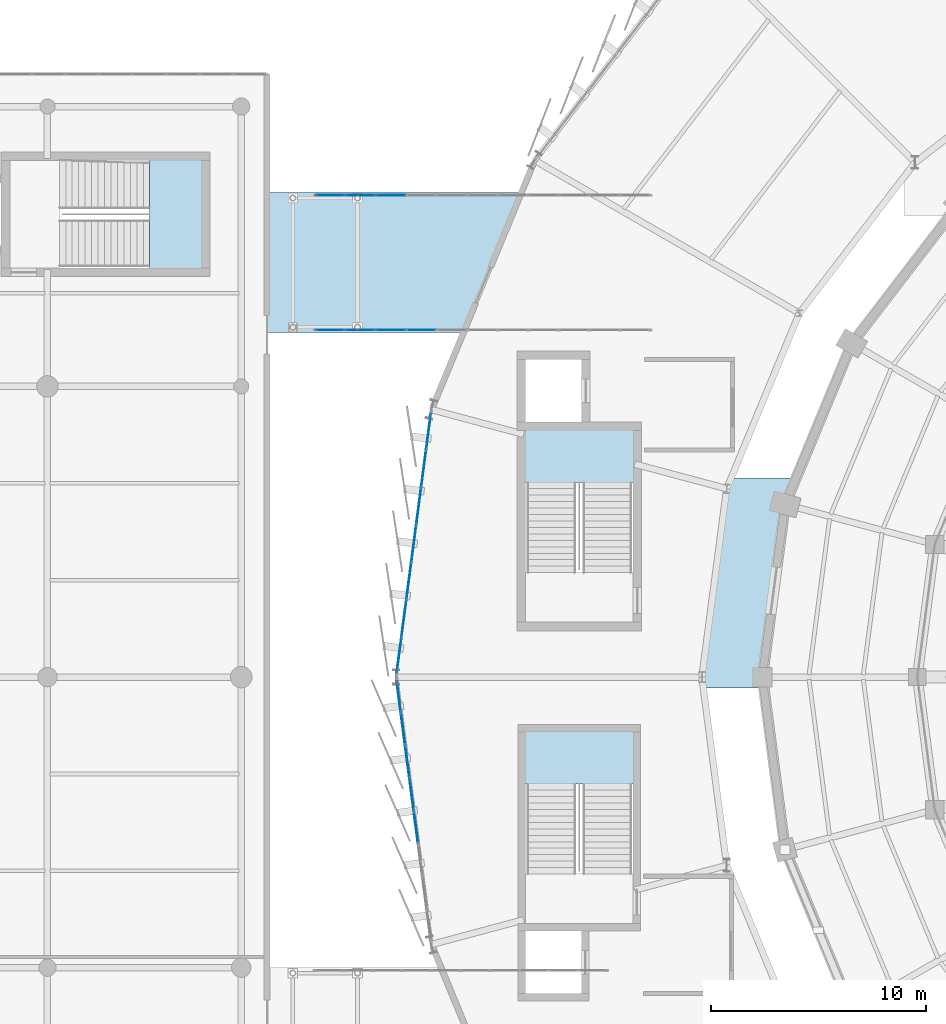
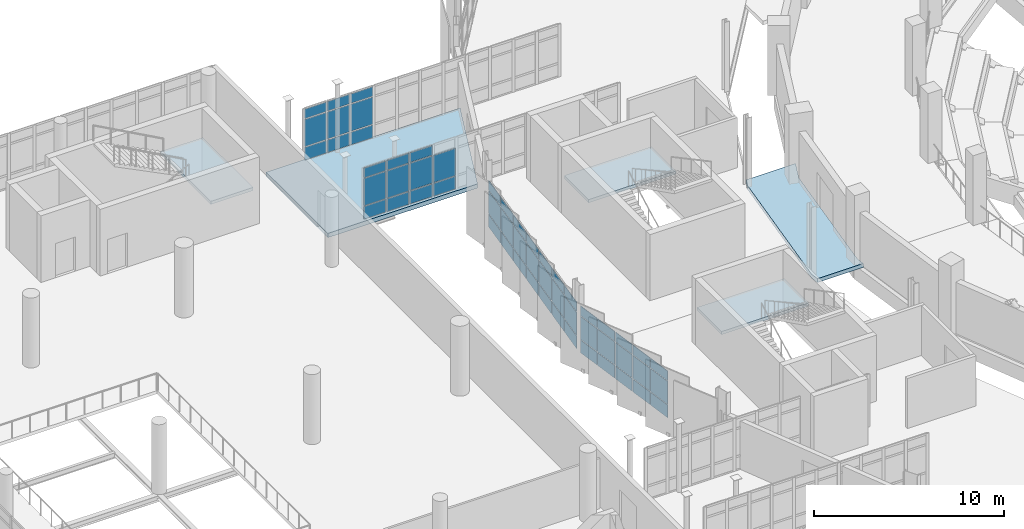
# One storey, part 90 of 134: 56 plates, 5 slabs, 7 elements without a shape of their own.
"""IFC4 building model written with IfcOpenShell, lengths in metres."""

from ifc_helpers import new_model, si_unit, direction, frame, origin, origin_2d, place, context, subcontext, project, spatial, polyline, rectangle, outline, extrude, material, layer, layer_set, type_object, element, aggregate, save


model = new_model("IFC4")

# Units and contexts
model_context = context("Model", 3, precision=1e-05, world=origin(), true_north=direction((0.0, 1.0)))
body_context = subcontext(model_context, "Body", "Model", "MODEL_VIEW")
ifc_project = project(units=[si_unit("LENGTHUNIT", "METRE"), si_unit("AREAUNIT", "SQUARE_METRE"), si_unit("VOLUMEUNIT", "CUBIC_METRE"), si_unit("PLANEANGLEUNIT", "RADIAN"), si_unit("MASSUNIT", "GRAM", prefix="KILO")], contexts=[model_context])

# Site, building, storey
site_placement = place(None, origin())
site = spatial("IfcSite", under=ifc_project, at=site_placement, CompositionType="ELEMENT")
building_placement = place(site_placement, origin())
building = spatial("IfcBuilding", under=site, at=building_placement, Name="Sohan Crest Arena", CompositionType="ELEMENT")
storey_placement = place(building_placement, frame((0.0, 0.0, 4.5)))
storey = spatial("IfcBuildingStorey", under=building, at=storey_placement, Name="L01", CompositionType="ELEMENT", Elevation=4.5)

# Curtain wall, plates
ifc_material_1 = material(Name="Thermally broken anodised aluminium", Category="aluminium")
ifc_layer_1 = layer(ifc_material_1, 0.18994140625, Name="Thermally broken anodised aluminium")
ifc_layer_set_1 = layer_set([ifc_layer_1], Name="Thermally broken anodised aluminium")
curtain_wall_type_1 = type_object("IfcCurtainWallType", Name="ARC-CW05", PredefinedType="NOTDEFINED", material=ifc_layer_set_1)
curtain_wall_1_placement = place(storey_placement, origin())
curtain_wall_1 = element("IfcCurtainWall", 1, at=curtain_wall_1_placement, inside=storey, type_object=curtain_wall_type_1, Name="Unitised curtain wall CW-233", PredefinedType="NOTDEFINED")
ifc_material_2 = material(Name="Low-E double-glazed insulated glass", Category="glass")
ifc_layer_2 = layer(ifc_material_2, 0.028076171875, Name="Low-E double-glazed insulated glass")
ifc_layer_set_2 = layer_set([ifc_layer_2], Name="Low-E double-glazed insulated glass")
plate_type_1 = type_object("IfcPlateType", Name="ARC-CNP01", PredefinedType="CURTAIN_PANEL", material=ifc_layer_set_2)
plate_1_placement = place(storey_placement, frame((46.92529296875, 94.1201171875, 0.06005859375), z_axis=(0.0, 0.0, 1.0), x_axis=(1.0, 0.0, 0.0)))
plate_1 = element("IfcPlate", 2, at=plate_1_placement, type_object=plate_type_1, Name="CW-233 panel 1.1", PredefinedType="CURTAIN_PANEL", context=body_context, shape_type="SweptSolid", body=[
    extrude(rectangle(XDim=1.32080078125, YDim=0.028076171875, at=origin_2d()), origin(), (0.0, 0.0, 1.0), 0.81005859375),
])
plate_2_placement = place(storey_placement, frame((46.92529296875, 94.1201171875, 0.93017578125), z_axis=(0.0, 0.0, 1.0), x_axis=(1.0, 0.0, 0.0)))
plate_2 = element("IfcPlate", 3, at=plate_2_placement, type_object=plate_type_1, Name="CW-233 panel 1.2", PredefinedType="CURTAIN_PANEL", context=body_context, shape_type="SweptSolid", body=[
    extrude(rectangle(XDim=1.32080078125, YDim=0.028076171875, at=origin_2d()), origin(), (0.0, 0.0, 1.0), 1.739990234375),
])
plate_3_placement = place(storey_placement, frame((46.92529296875, 94.1201171875, 2.72998046875), z_axis=(0.0, 0.0, 1.0), x_axis=(1.0, 0.0, 0.0)))
plate_3 = element("IfcPlate", 4, at=plate_3_placement, type_object=plate_type_1, Name="CW-233 panel 1.3", PredefinedType="CURTAIN_PANEL", context=body_context, shape_type="SweptSolid", body=[
    extrude(rectangle(XDim=1.32080078125, YDim=0.028076171875, at=origin_2d()), origin(), (0.0, 0.0, 1.0), 0.610107421875),
])
plate_4_placement = place(storey_placement, frame((48.327392578125, 94.1201171875, 0.06005859375), z_axis=(0.0, 0.0, 1.0), x_axis=(1.0, 0.0, 0.0)))
plate_4 = element("IfcPlate", 5, at=plate_4_placement, type_object=plate_type_1, Name="CW-233 panel 2.1", PredefinedType="CURTAIN_PANEL", context=body_context, shape_type="SweptSolid", body=[
    extrude(rectangle(XDim=1.353271484375, YDim=0.028076171875, at=origin_2d()), origin(), (0.0, 0.0, 1.0), 0.81005859375),
])
plate_5_placement = place(storey_placement, frame((48.327392578125, 94.1201171875, 0.93017578125), z_axis=(0.0, 0.0, 1.0), x_axis=(1.0, 0.0, 0.0)))
plate_5 = element("IfcPlate", 6, at=plate_5_placement, type_object=plate_type_1, Name="CW-233 panel 2.2", PredefinedType="CURTAIN_PANEL", context=body_context, shape_type="SweptSolid", body=[
    extrude(rectangle(XDim=1.353271484375, YDim=0.028076171875, at=origin_2d()), origin(), (0.0, 0.0, 1.0), 1.739990234375),
])
plate_6_placement = place(storey_placement, frame((48.327392578125, 94.1201171875, 2.72998046875), z_axis=(0.0, 0.0, 1.0), x_axis=(1.0, 0.0, 0.0)))
plate_6 = element("IfcPlate", 7, at=plate_6_placement, type_object=plate_type_1, Name="CW-233 panel 2.3", PredefinedType="CURTAIN_PANEL", context=body_context, shape_type="SweptSolid", body=[
    extrude(rectangle(XDim=1.353271484375, YDim=0.028076171875, at=origin_2d()), origin(), (0.0, 0.0, 1.0), 0.610107421875),
])
plate_7_placement = place(storey_placement, frame((49.745361328125, 94.1201171875, 0.06005859375), z_axis=(0.0, 0.0, 1.0), x_axis=(1.0, 0.0, 0.0)))
plate_7 = element("IfcPlate", 8, at=plate_7_placement, type_object=plate_type_1, Name="CW-233 panel 3.1", PredefinedType="CURTAIN_PANEL", context=body_context, shape_type="SweptSolid", body=[
    extrude(rectangle(XDim=1.353271484375, YDim=0.028076171875, at=origin_2d()), origin(), (0.0, 0.0, 1.0), 0.81005859375),
])
plate_8_placement = place(storey_placement, frame((49.745361328125, 94.1201171875, 0.93017578125), z_axis=(0.0, 0.0, 1.0), x_axis=(1.0, 0.0, 0.0)))
plate_8 = element("IfcPlate", 9, at=plate_8_placement, type_object=plate_type_1, Name="CW-233 panel 3.2", PredefinedType="CURTAIN_PANEL", context=body_context, shape_type="SweptSolid", body=[
    extrude(rectangle(XDim=1.353271484375, YDim=0.028076171875, at=origin_2d()), origin(), (0.0, 0.0, 1.0), 1.739990234375),
])
plate_9_placement = place(storey_placement, frame((49.745361328125, 94.1201171875, 2.72998046875), z_axis=(0.0, 0.0, 1.0), x_axis=(1.0, 0.0, 0.0)))
plate_9 = element("IfcPlate", 10, at=plate_9_placement, type_object=plate_type_1, Name="CW-233 panel 3.3", PredefinedType="CURTAIN_PANEL", context=body_context, shape_type="SweptSolid", body=[
    extrude(rectangle(XDim=1.353271484375, YDim=0.028076171875, at=origin_2d()), origin(), (0.0, 0.0, 1.0), 0.610107421875),
])
plate_10_placement = place(storey_placement, frame((51.16357421875, 94.1201171875, 0.06005859375), z_axis=(0.0, 0.0, 1.0), x_axis=(1.0, 0.0, 0.0)))
plate_10 = element("IfcPlate", 11, at=plate_10_placement, type_object=plate_type_1, Name="CW-233 panel 4.1", PredefinedType="CURTAIN_PANEL", context=body_context, shape_type="SweptSolid", body=[
    extrude(rectangle(XDim=1.353271484375, YDim=0.028076171875, at=origin_2d()), origin(), (0.0, 0.0, 1.0), 0.81005859375),
])
plate_11_placement = place(storey_placement, frame((51.16357421875, 94.1201171875, 0.93017578125), z_axis=(0.0, 0.0, 1.0), x_axis=(1.0, 0.0, 0.0)))
plate_11 = element("IfcPlate", 12, at=plate_11_placement, type_object=plate_type_1, Name="CW-233 panel 4.2", PredefinedType="CURTAIN_PANEL", context=body_context, shape_type="SweptSolid", body=[
    extrude(rectangle(XDim=1.353271484375, YDim=0.028076171875, at=origin_2d()), origin(), (0.0, 0.0, 1.0), 1.739990234375),
])
aggregate(curtain_wall_1, [plate_1, plate_2, plate_3, plate_4, plate_5, plate_6, plate_7, plate_8, plate_9, plate_10, plate_11])

curtain_wall_2_placement = place(storey_placement, origin())
curtain_wall_2 = element("IfcCurtainWall", 13, at=curtain_wall_2_placement, inside=storey, type_object=curtain_wall_type_1, Name="Unitised curtain wall CW-234", PredefinedType="NOTDEFINED")
plate_12_placement = place(storey_placement, frame((46.92529296875, 100.3798828125, 0.06005859375), z_axis=(0.0, 0.0, 1.0), x_axis=(1.0, 0.0, 0.0)))
plate_12 = element("IfcPlate", 14, at=plate_12_placement, type_object=plate_type_1, Name="CW-234 panel 1.1", PredefinedType="CURTAIN_PANEL", context=body_context, shape_type="SweptSolid", body=[
    extrude(rectangle(XDim=1.32080078125, YDim=0.028076171875, at=origin_2d()), origin(), (0.0, 0.0, 1.0), 0.81005859375),
])
plate_13_placement = place(storey_placement, frame((46.92529296875, 100.3798828125, 0.93017578125), z_axis=(0.0, 0.0, 1.0), x_axis=(1.0, 0.0, 0.0)))
plate_13 = element("IfcPlate", 15, at=plate_13_placement, type_object=plate_type_1, Name="CW-234 panel 1.2", PredefinedType="CURTAIN_PANEL", context=body_context, shape_type="SweptSolid", body=[
    extrude(rectangle(XDim=1.32080078125, YDim=0.028076171875, at=origin_2d()), origin(), (0.0, 0.0, 1.0), 1.739990234375),
])
plate_14_placement = place(storey_placement, frame((46.92529296875, 100.3798828125, 2.72998046875), z_axis=(0.0, 0.0, 1.0), x_axis=(1.0, 0.0, 0.0)))
plate_14 = element("IfcPlate", 16, at=plate_14_placement, type_object=plate_type_1, Name="CW-234 panel 1.3", PredefinedType="CURTAIN_PANEL", context=body_context, shape_type="SweptSolid", body=[
    extrude(rectangle(XDim=1.32080078125, YDim=0.028076171875, at=origin_2d()), origin(), (0.0, 0.0, 1.0), 0.610107421875),
])
plate_15_placement = place(storey_placement, frame((48.327392578125, 100.3798828125, 0.06005859375), z_axis=(0.0, 0.0, 1.0), x_axis=(1.0, 0.0, 0.0)))
plate_15 = element("IfcPlate", 17, at=plate_15_placement, type_object=plate_type_1, Name="CW-234 panel 2.1", PredefinedType="CURTAIN_PANEL", context=body_context, shape_type="SweptSolid", body=[
    extrude(rectangle(XDim=1.353271484375, YDim=0.028076171875, at=origin_2d()), origin(), (0.0, 0.0, 1.0), 0.81005859375),
])
plate_16_placement = place(storey_placement, frame((48.327392578125, 100.3798828125, 0.93017578125), z_axis=(0.0, 0.0, 1.0), x_axis=(1.0, 0.0, 0.0)))
plate_16 = element("IfcPlate", 18, at=plate_16_placement, type_object=plate_type_1, Name="CW-234 panel 2.2", PredefinedType="CURTAIN_PANEL", context=body_context, shape_type="SweptSolid", body=[
    extrude(rectangle(XDim=1.353271484375, YDim=0.028076171875, at=origin_2d()), origin(), (0.0, 0.0, 1.0), 1.739990234375),
])
plate_17_placement = place(storey_placement, frame((48.327392578125, 100.3798828125, 2.72998046875), z_axis=(0.0, 0.0, 1.0), x_axis=(1.0, 0.0, 0.0)))
plate_17 = element("IfcPlate", 19, at=plate_17_placement, type_object=plate_type_1, Name="CW-234 panel 2.3", PredefinedType="CURTAIN_PANEL", context=body_context, shape_type="SweptSolid", body=[
    extrude(rectangle(XDim=1.353271484375, YDim=0.028076171875, at=origin_2d()), origin(), (0.0, 0.0, 1.0), 0.610107421875),
])
plate_18_placement = place(storey_placement, frame((49.745361328125, 100.3798828125, 0.06005859375), z_axis=(0.0, 0.0, 1.0), x_axis=(1.0, 0.0, 0.0)))
plate_18 = element("IfcPlate", 20, at=plate_18_placement, type_object=plate_type_1, Name="CW-234 panel 3.1", PredefinedType="CURTAIN_PANEL", context=body_context, shape_type="SweptSolid", body=[
    extrude(rectangle(XDim=1.353271484375, YDim=0.028076171875, at=origin_2d()), origin(), (0.0, 0.0, 1.0), 0.81005859375),
])
plate_19_placement = place(storey_placement, frame((49.745361328125, 100.3798828125, 0.93017578125), z_axis=(0.0, 0.0, 1.0), x_axis=(1.0, 0.0, 0.0)))
plate_19 = element("IfcPlate", 21, at=plate_19_placement, type_object=plate_type_1, Name="CW-234 panel 3.2", PredefinedType="CURTAIN_PANEL", context=body_context, shape_type="SweptSolid", body=[
    extrude(rectangle(XDim=1.353271484375, YDim=0.028076171875, at=origin_2d()), origin(), (0.0, 0.0, 1.0), 1.739990234375),
])
plate_20_placement = place(storey_placement, frame((49.745361328125, 100.3798828125, 2.72998046875), z_axis=(0.0, 0.0, 1.0), x_axis=(1.0, 0.0, 0.0)))
plate_20 = element("IfcPlate", 22, at=plate_20_placement, type_object=plate_type_1, Name="CW-234 panel 3.3", PredefinedType="CURTAIN_PANEL", context=body_context, shape_type="SweptSolid", body=[
    extrude(rectangle(XDim=1.353271484375, YDim=0.028076171875, at=origin_2d()), origin(), (0.0, 0.0, 1.0), 0.610107421875),
])
aggregate(curtain_wall_2, [plate_12, plate_13, plate_14, plate_15, plate_16, plate_17, plate_18, plate_19, plate_20])

ifc_layer_3 = layer(ifc_material_1, 0.2099609375, Name="Thermally broken anodised aluminium")
ifc_layer_set_3 = layer_set([ifc_layer_3], Name="Thermally broken anodised aluminium")
curtain_wall_type_2 = type_object("IfcCurtainWallType", Name="ARC-CW06", PredefinedType="NOTDEFINED", material=ifc_layer_set_3)
curtain_wall_3_placement = place(storey_placement, origin())
curtain_wall_3 = element("IfcCurtainWall", 23, at=curtain_wall_3_placement, inside=storey, type_object=curtain_wall_type_2, Name="Unitised curtain wall CW-024", PredefinedType="NOTDEFINED")
ifc_layer_4 = layer(ifc_material_2, 0.031982421875, Name="Low-E double-glazed insulated glass")
ifc_layer_set_4 = layer_set([ifc_layer_4], Name="Low-E double-glazed insulated glass")
plate_type_2 = type_object("IfcPlateType", Name="ARC-CNP02", PredefinedType="CURTAIN_PANEL", material=ifc_layer_set_4)
plate_21_placement = place(storey_placement, frame((51.50244140625, 89.408935546875, 0.070068359375), z_axis=(0.0, 0.0, 1.0), x_axis=(-0.130562031094, -0.991440142438, 0.0)))
plate_21 = element("IfcPlate", 24, at=plate_21_placement, type_object=plate_type_2, Name="CW-024 panel 1.1", PredefinedType="CURTAIN_PANEL", context=body_context, shape_type="SweptSolid", body=[
    extrude(rectangle(XDim=1.6552734375, YDim=0.031982421875, at=origin_2d()), origin(), (0.0, 0.0, 1.0), 0.794921875),
])
plate_22_placement = place(storey_placement, frame((51.50244140625, 89.408935546875, 0.93505859375), z_axis=(0.0, 0.0, 1.0), x_axis=(-0.130562031094, -0.991440142438, 0.0)))
plate_22 = element("IfcPlate", 25, at=plate_22_placement, type_object=plate_type_2, Name="CW-024 panel 1.2", PredefinedType="CURTAIN_PANEL", context=body_context, shape_type="SweptSolid", body=[
    extrude(rectangle(XDim=1.6552734375, YDim=0.031982421875, at=origin_2d()), origin(), (0.0, 0.0, 1.0), 1.449951171875),
])
plate_23_placement = place(storey_placement, frame((51.50244140625, 89.408935546875, 2.455078125), z_axis=(0.0, 0.0, 1.0), x_axis=(-0.130562031094, -0.991440142438, 0.0)))
plate_23 = element("IfcPlate", 26, at=plate_23_placement, type_object=plate_type_2, Name="CW-024 panel 1.3", PredefinedType="CURTAIN_PANEL", context=body_context, shape_type="SweptSolid", body=[
    extrude(rectangle(XDim=1.6552734375, YDim=0.031982421875, at=origin_2d()), origin(), (0.0, 0.0, 1.0), 0.594970703125),
])
plate_24_placement = place(storey_placement, frame((51.275634765625, 87.687255859375, 0.070068359375), z_axis=(0.0, 0.0, 1.0), x_axis=(-0.130562031094, -0.991440142438, 0.0)))
plate_24 = element("IfcPlate", 27, at=plate_24_placement, type_object=plate_type_2, Name="CW-024 panel 2.1", PredefinedType="CURTAIN_PANEL", context=body_context, shape_type="SweptSolid", body=[
    extrude(rectangle(XDim=1.687744140625, YDim=0.031982421875, at=origin_2d()), origin(), (0.0, 0.0, 1.0), 0.794921875),
])
plate_25_placement = place(storey_placement, frame((51.275634765625, 87.687255859375, 0.93505859375), z_axis=(0.0, 0.0, 1.0), x_axis=(-0.130562031094, -0.991440142438, 0.0)))
plate_25 = element("IfcPlate", 28, at=plate_25_placement, type_object=plate_type_2, Name="CW-024 panel 2.2", PredefinedType="CURTAIN_PANEL", context=body_context, shape_type="SweptSolid", body=[
    extrude(rectangle(XDim=1.687744140625, YDim=0.031982421875, at=origin_2d()), origin(), (0.0, 0.0, 1.0), 1.449951171875),
])
plate_26_placement = place(storey_placement, frame((51.275634765625, 87.687255859375, 2.455078125), z_axis=(0.0, 0.0, 1.0), x_axis=(-0.130562031094, -0.991440142438, 0.0)))
plate_26 = element("IfcPlate", 29, at=plate_26_placement, type_object=plate_type_2, Name="CW-024 panel 2.3", PredefinedType="CURTAIN_PANEL", context=body_context, shape_type="SweptSolid", body=[
    extrude(rectangle(XDim=1.687744140625, YDim=0.031982421875, at=origin_2d()), origin(), (0.0, 0.0, 1.0), 0.594970703125),
])
plate_27_placement = place(storey_placement, frame((51.046875, 85.949462890625, 0.070068359375), z_axis=(0.0, 0.0, 1.0), x_axis=(-0.130562031094, -0.991440142438, 0.0)))
plate_27 = element("IfcPlate", 30, at=plate_27_placement, type_object=plate_type_2, Name="CW-024 panel 3.1", PredefinedType="CURTAIN_PANEL", context=body_context, shape_type="SweptSolid", body=[
    extrude(rectangle(XDim=1.687744140625, YDim=0.031982421875, at=origin_2d()), origin(), (0.0, 0.0, 1.0), 0.794921875),
])
plate_28_placement = place(storey_placement, frame((51.046875, 85.949462890625, 0.93505859375), z_axis=(0.0, 0.0, 1.0), x_axis=(-0.130562031094, -0.991440142438, 0.0)))
plate_28 = element("IfcPlate", 31, at=plate_28_placement, type_object=plate_type_2, Name="CW-024 panel 3.2", PredefinedType="CURTAIN_PANEL", context=body_context, shape_type="SweptSolid", body=[
    extrude(rectangle(XDim=1.687744140625, YDim=0.031982421875, at=origin_2d()), origin(), (0.0, 0.0, 1.0), 1.449951171875),
])
plate_29_placement = place(storey_placement, frame((51.046875, 85.949462890625, 2.455078125), z_axis=(0.0, 0.0, 1.0), x_axis=(-0.130562031094, -0.991440142438, 0.0)))
plate_29 = element("IfcPlate", 32, at=plate_29_placement, type_object=plate_type_2, Name="CW-024 panel 3.3", PredefinedType="CURTAIN_PANEL", context=body_context, shape_type="SweptSolid", body=[
    extrude(rectangle(XDim=1.687744140625, YDim=0.031982421875, at=origin_2d()), origin(), (0.0, 0.0, 1.0), 0.594970703125),
])
plate_30_placement = place(storey_placement, frame((50.818115234375, 84.21142578125, 0.070068359375), z_axis=(0.0, 0.0, 1.0), x_axis=(-0.130562031094, -0.991440142438, 0.0)))
plate_30 = element("IfcPlate", 33, at=plate_30_placement, type_object=plate_type_2, Name="CW-024 panel 4.1", PredefinedType="CURTAIN_PANEL", context=body_context, shape_type="SweptSolid", body=[
    extrude(rectangle(XDim=1.687744140625, YDim=0.031982421875, at=origin_2d()), origin(), (0.0, 0.0, 1.0), 0.794921875),
])
plate_31_placement = place(storey_placement, frame((50.818115234375, 84.21142578125, 0.93505859375), z_axis=(0.0, 0.0, 1.0), x_axis=(-0.130562031094, -0.991440142438, 0.0)))
plate_31 = element("IfcPlate", 34, at=plate_31_placement, type_object=plate_type_2, Name="CW-024 panel 4.2", PredefinedType="CURTAIN_PANEL", context=body_context, shape_type="SweptSolid", body=[
    extrude(rectangle(XDim=1.687744140625, YDim=0.031982421875, at=origin_2d()), origin(), (0.0, 0.0, 1.0), 1.449951171875),
])
plate_32_placement = place(storey_placement, frame((50.818115234375, 84.21142578125, 2.455078125), z_axis=(0.0, 0.0, 1.0), x_axis=(-0.130562031094, -0.991440142438, 0.0)))
plate_32 = element("IfcPlate", 35, at=plate_32_placement, type_object=plate_type_2, Name="CW-024 panel 4.3", PredefinedType="CURTAIN_PANEL", context=body_context, shape_type="SweptSolid", body=[
    extrude(rectangle(XDim=1.687744140625, YDim=0.031982421875, at=origin_2d()), origin(), (0.0, 0.0, 1.0), 0.594970703125),
])
plate_33_placement = place(storey_placement, frame((50.589111328125, 82.4736328125, 0.070068359375), z_axis=(0.0, 0.0, 1.0), x_axis=(-0.130562031094, -0.991440142438, 0.0)))
plate_33 = element("IfcPlate", 36, at=plate_33_placement, type_object=plate_type_2, Name="CW-024 panel 5.1", PredefinedType="CURTAIN_PANEL", context=body_context, shape_type="SweptSolid", body=[
    extrude(rectangle(XDim=1.687744140625, YDim=0.031982421875, at=origin_2d()), origin(), (0.0, 0.0, 1.0), 0.794921875),
])
plate_34_placement = place(storey_placement, frame((50.589111328125, 82.4736328125, 0.93505859375), z_axis=(0.0, 0.0, 1.0), x_axis=(-0.130562031094, -0.991440142438, 0.0)))
plate_34 = element("IfcPlate", 37, at=plate_34_placement, type_object=plate_type_2, Name="CW-024 panel 5.2", PredefinedType="CURTAIN_PANEL", context=body_context, shape_type="SweptSolid", body=[
    extrude(rectangle(XDim=1.687744140625, YDim=0.031982421875, at=origin_2d()), origin(), (0.0, 0.0, 1.0), 1.449951171875),
])
plate_35_placement = place(storey_placement, frame((50.589111328125, 82.4736328125, 2.455078125), z_axis=(0.0, 0.0, 1.0), x_axis=(-0.130562031094, -0.991440142438, 0.0)))
plate_35 = element("IfcPlate", 38, at=plate_35_placement, type_object=plate_type_2, Name="CW-024 panel 5.3", PredefinedType="CURTAIN_PANEL", context=body_context, shape_type="SweptSolid", body=[
    extrude(rectangle(XDim=1.687744140625, YDim=0.031982421875, at=origin_2d()), origin(), (0.0, 0.0, 1.0), 0.594970703125),
])
plate_36_placement = place(storey_placement, frame((50.3603515625, 80.73583984375, 0.070068359375), z_axis=(0.0, 0.0, 1.0), x_axis=(-0.130562031094, -0.991440142438, 0.0)))
plate_36 = element("IfcPlate", 39, at=plate_36_placement, type_object=plate_type_2, Name="CW-024 panel 6.1", PredefinedType="CURTAIN_PANEL", context=body_context, shape_type="SweptSolid", body=[
    extrude(rectangle(XDim=1.687744140625, YDim=0.031982421875, at=origin_2d()), origin(), (0.0, 0.0, 1.0), 0.794921875),
])
plate_37_placement = place(storey_placement, frame((50.3603515625, 80.73583984375, 0.93505859375), z_axis=(0.0, 0.0, 1.0), x_axis=(-0.130562031094, -0.991440142438, 0.0)))
plate_37 = element("IfcPlate", 40, at=plate_37_placement, type_object=plate_type_2, Name="CW-024 panel 6.2", PredefinedType="CURTAIN_PANEL", context=body_context, shape_type="SweptSolid", body=[
    extrude(rectangle(XDim=1.687744140625, YDim=0.031982421875, at=origin_2d()), origin(), (0.0, 0.0, 1.0), 1.449951171875),
])
plate_38_placement = place(storey_placement, frame((50.3603515625, 80.73583984375, 2.455078125), z_axis=(0.0, 0.0, 1.0), x_axis=(-0.130562031094, -0.991440142438, 0.0)))
plate_38 = element("IfcPlate", 41, at=plate_38_placement, type_object=plate_type_2, Name="CW-024 panel 6.3", PredefinedType="CURTAIN_PANEL", context=body_context, shape_type="SweptSolid", body=[
    extrude(rectangle(XDim=1.687744140625, YDim=0.031982421875, at=origin_2d()), origin(), (0.0, 0.0, 1.0), 0.594970703125),
])
plate_39_placement = place(storey_placement, frame((50.133544921875, 79.01416015625, 0.070068359375), z_axis=(0.0, 0.0, 1.0), x_axis=(-0.130562031094, -0.991440142438, 0.0)))
plate_39 = element("IfcPlate", 42, at=plate_39_placement, type_object=plate_type_2, Name="CW-024 panel 7.1", PredefinedType="CURTAIN_PANEL", context=body_context, shape_type="SweptSolid", body=[
    extrude(rectangle(XDim=1.6552734375, YDim=0.031982421875, at=origin_2d()), origin(), (0.0, 0.0, 1.0), 0.794921875),
])
plate_40_placement = place(storey_placement, frame((50.133544921875, 79.01416015625, 0.93505859375), z_axis=(0.0, 0.0, 1.0), x_axis=(-0.130562031094, -0.991440142438, 0.0)))
plate_40 = element("IfcPlate", 43, at=plate_40_placement, type_object=plate_type_2, Name="CW-024 panel 7.2", PredefinedType="CURTAIN_PANEL", context=body_context, shape_type="SweptSolid", body=[
    extrude(rectangle(XDim=1.6552734375, YDim=0.031982421875, at=origin_2d()), origin(), (0.0, 0.0, 1.0), 1.449951171875),
])
plate_41_placement = place(storey_placement, frame((50.133544921875, 79.01416015625, 2.455078125), z_axis=(0.0, 0.0, 1.0), x_axis=(-0.130562031094, -0.991440142438, 0.0)))
plate_41 = element("IfcPlate", 44, at=plate_41_placement, type_object=plate_type_2, Name="CW-024 panel 7.3", PredefinedType="CURTAIN_PANEL", context=body_context, shape_type="SweptSolid", body=[
    extrude(rectangle(XDim=1.6552734375, YDim=0.031982421875, at=origin_2d()), origin(), (0.0, 0.0, 1.0), 0.594970703125),
])
aggregate(curtain_wall_3, [plate_21, plate_22, plate_23, plate_24, plate_25, plate_26, plate_27, plate_28, plate_29, plate_30, plate_31, plate_32, plate_33, plate_34, plate_35, plate_36, plate_37, plate_38, plate_39, plate_40, plate_41])

ifc_layer_5 = layer(ifc_material_1, 0.179931640625, Name="Thermally broken anodised aluminium")
ifc_layer_set_5 = layer_set([ifc_layer_5], Name="Thermally broken anodised aluminium")
curtain_wall_type_3 = type_object("IfcCurtainWallType", Name="ARC-CW01", PredefinedType="NOTDEFINED", material=ifc_layer_set_5)
curtain_wall_4_placement = place(storey_placement, origin())
curtain_wall_4 = element("IfcCurtainWall", 45, at=curtain_wall_4_placement, inside=storey, type_object=curtain_wall_type_3, Name="Unitised curtain wall CW-025", PredefinedType="NOTDEFINED")
ifc_material_3 = material(Name="Ceramic-fritted solar-control insulated glass", Category="glass")
ifc_layer_6 = layer(ifc_material_3, 0.035888671875, Name="Ceramic-fritted solar-control insulated glass")
ifc_layer_set_6 = layer_set([ifc_layer_6], Name="Ceramic-fritted solar-control insulated glass")
plate_type_3 = type_object("IfcPlateType", Name="ARC-CNP03", PredefinedType="CURTAIN_PANEL", material=ifc_layer_set_6)
plate_42_placement = place(storey_placement, frame((50.119384765625, 77.09326171875, 0.06005859375), z_axis=(0.0, 0.0, 1.0), x_axis=(0.130562031094, -0.991440142438, 0.0)))
plate_42 = element("IfcPlate", 46, at=plate_42_placement, type_object=plate_type_3, Name="CW-025 panel 1.1", PredefinedType="CURTAIN_PANEL", context=body_context, shape_type="SweptSolid", body=[
    extrude(rectangle(XDim=1.4287109375, YDim=0.035888671875, at=origin_2d()), origin(), (0.0, 0.0, 1.0), 0.81005859375),
])
plate_43_placement = place(storey_placement, frame((50.119384765625, 77.09326171875, 0.929931640625), z_axis=(0.0, 0.0, 1.0), x_axis=(0.130562031094, -0.991440142438, 0.0)))
plate_43 = element("IfcPlate", 47, at=plate_43_placement, type_object=plate_type_3, Name="CW-025 panel 1.2", PredefinedType="CURTAIN_PANEL", context=body_context, shape_type="SweptSolid", body=[
    extrude(rectangle(XDim=1.4287109375, YDim=0.035888671875, at=origin_2d()), origin(), (0.0, 0.0, 1.0), 1.4599609375),
])
plate_44_placement = place(storey_placement, frame((50.119384765625, 77.09326171875, 2.44970703125), z_axis=(0.0, 0.0, 1.0), x_axis=(0.130562031094, -0.991440142438, 0.0)))
plate_44 = element("IfcPlate", 48, at=plate_44_placement, type_object=plate_type_3, Name="CW-025 panel 1.3", PredefinedType="CURTAIN_PANEL", context=body_context, shape_type="SweptSolid", body=[
    extrude(rectangle(XDim=1.4287109375, YDim=0.035888671875, at=origin_2d()), origin(), (0.0, 0.0, 1.0), 0.610107421875),
])
plate_45_placement = place(storey_placement, frame((50.3173828125, 75.590087890625, 0.06005859375), z_axis=(0.0, 0.0, 1.0), x_axis=(0.130562031094, -0.991440142438, 0.0)))
plate_45 = element("IfcPlate", 49, at=plate_45_placement, type_object=plate_type_3, Name="CW-025 panel 2.1", PredefinedType="CURTAIN_PANEL", context=body_context, shape_type="SweptSolid", body=[
    extrude(rectangle(XDim=1.4638671875, YDim=0.035888671875, at=origin_2d()), origin(), (0.0, 0.0, 1.0), 0.81005859375),
])
plate_46_placement = place(storey_placement, frame((50.3173828125, 75.590087890625, 0.929931640625), z_axis=(0.0, 0.0, 1.0), x_axis=(0.130562031094, -0.991440142438, 0.0)))
plate_46 = element("IfcPlate", 50, at=plate_46_placement, type_object=plate_type_3, Name="CW-025 panel 2.2", PredefinedType="CURTAIN_PANEL", context=body_context, shape_type="SweptSolid", body=[
    extrude(rectangle(XDim=1.4638671875, YDim=0.035888671875, at=origin_2d()), origin(), (0.0, 0.0, 1.0), 1.4599609375),
])
plate_47_placement = place(storey_placement, frame((50.3173828125, 75.590087890625, 2.44970703125), z_axis=(0.0, 0.0, 1.0), x_axis=(0.130562031094, -0.991440142438, 0.0)))
plate_47 = element("IfcPlate", 51, at=plate_47_placement, type_object=plate_type_3, Name="CW-025 panel 2.3", PredefinedType="CURTAIN_PANEL", context=body_context, shape_type="SweptSolid", body=[
    extrude(rectangle(XDim=1.4638671875, YDim=0.035888671875, at=origin_2d()), origin(), (0.0, 0.0, 1.0), 0.610107421875),
])
plate_48_placement = place(storey_placement, frame((50.517578125, 74.0693359375, 0.06005859375), z_axis=(0.0, 0.0, 1.0), x_axis=(0.130562031094, -0.991440142438, 0.0)))
plate_48 = element("IfcPlate", 52, at=plate_48_placement, type_object=plate_type_3, Name="CW-025 panel 3.1", PredefinedType="CURTAIN_PANEL", context=body_context, shape_type="SweptSolid", body=[
    extrude(rectangle(XDim=1.4638671875, YDim=0.035888671875, at=origin_2d()), origin(), (0.0, 0.0, 1.0), 0.81005859375),
])
plate_49_placement = place(storey_placement, frame((50.517578125, 74.0693359375, 0.929931640625), z_axis=(0.0, 0.0, 1.0), x_axis=(0.130562031094, -0.991440142438, 0.0)))
plate_49 = element("IfcPlate", 53, at=plate_49_placement, type_object=plate_type_3, Name="CW-025 panel 3.2", PredefinedType="CURTAIN_PANEL", context=body_context, shape_type="SweptSolid", body=[
    extrude(rectangle(XDim=1.4638671875, YDim=0.035888671875, at=origin_2d()), origin(), (0.0, 0.0, 1.0), 1.4599609375),
])
plate_50_placement = place(storey_placement, frame((50.517578125, 74.0693359375, 2.44970703125), z_axis=(0.0, 0.0, 1.0), x_axis=(0.130562031094, -0.991440142438, 0.0)))
plate_50 = element("IfcPlate", 54, at=plate_50_placement, type_object=plate_type_3, Name="CW-025 panel 3.3", PredefinedType="CURTAIN_PANEL", context=body_context, shape_type="SweptSolid", body=[
    extrude(rectangle(XDim=1.4638671875, YDim=0.035888671875, at=origin_2d()), origin(), (0.0, 0.0, 1.0), 0.610107421875),
])
plate_51_placement = place(storey_placement, frame((50.7177734375, 72.548828125, 0.06005859375), z_axis=(0.0, 0.0, 1.0), x_axis=(0.130562031094, -0.991440142438, 0.0)))
plate_51 = element("IfcPlate", 55, at=plate_51_placement, type_object=plate_type_3, Name="CW-025 panel 4.1", PredefinedType="CURTAIN_PANEL", context=body_context, shape_type="SweptSolid", body=[
    extrude(rectangle(XDim=1.4638671875, YDim=0.035888671875, at=origin_2d()), origin(), (0.0, 0.0, 1.0), 0.81005859375),
])
plate_52_placement = place(storey_placement, frame((50.7177734375, 72.548828125, 0.929931640625), z_axis=(0.0, 0.0, 1.0), x_axis=(0.130562031094, -0.991440142438, 0.0)))
plate_52 = element("IfcPlate", 56, at=plate_52_placement, type_object=plate_type_3, Name="CW-025 panel 4.2", PredefinedType="CURTAIN_PANEL", context=body_context, shape_type="SweptSolid", body=[
    extrude(rectangle(XDim=1.4638671875, YDim=0.035888671875, at=origin_2d()), origin(), (0.0, 0.0, 1.0), 1.4599609375),
])
plate_53_placement = place(storey_placement, frame((50.7177734375, 72.548828125, 2.44970703125), z_axis=(0.0, 0.0, 1.0), x_axis=(0.130562031094, -0.991440142438, 0.0)))
plate_53 = element("IfcPlate", 57, at=plate_53_placement, type_object=plate_type_3, Name="CW-025 panel 4.3", PredefinedType="CURTAIN_PANEL", context=body_context, shape_type="SweptSolid", body=[
    extrude(rectangle(XDim=1.4638671875, YDim=0.035888671875, at=origin_2d()), origin(), (0.0, 0.0, 1.0), 0.610107421875),
])
plate_54_placement = place(storey_placement, frame((50.918212890625, 71.028076171875, 0.06005859375), z_axis=(0.0, 0.0, 1.0), x_axis=(0.130562031094, -0.991440142438, 0.0)))
plate_54 = element("IfcPlate", 58, at=plate_54_placement, type_object=plate_type_3, Name="CW-025 panel 5.1", PredefinedType="CURTAIN_PANEL", context=body_context, shape_type="SweptSolid", body=[
    extrude(rectangle(XDim=1.4638671875, YDim=0.035888671875, at=origin_2d()), origin(), (0.0, 0.0, 1.0), 0.81005859375),
])
plate_55_placement = place(storey_placement, frame((50.918212890625, 71.028076171875, 0.929931640625), z_axis=(0.0, 0.0, 1.0), x_axis=(0.130562031094, -0.991440142438, 0.0)))
plate_55 = element("IfcPlate", 59, at=plate_55_placement, type_object=plate_type_3, Name="CW-025 panel 5.2", PredefinedType="CURTAIN_PANEL", context=body_context, shape_type="SweptSolid", body=[
    extrude(rectangle(XDim=1.4638671875, YDim=0.035888671875, at=origin_2d()), origin(), (0.0, 0.0, 1.0), 1.4599609375),
])
plate_56_placement = place(storey_placement, frame((50.918212890625, 71.028076171875, 2.44970703125), z_axis=(0.0, 0.0, 1.0), x_axis=(0.130562031094, -0.991440142438, 0.0)))
plate_56 = element("IfcPlate", 60, at=plate_56_placement, type_object=plate_type_3, Name="CW-025 panel 5.3", PredefinedType="CURTAIN_PANEL", context=body_context, shape_type="SweptSolid", body=[
    extrude(rectangle(XDim=1.4638671875, YDim=0.035888671875, at=origin_2d()), origin(), (0.0, 0.0, 1.0), 0.610107421875),
])
aggregate(curtain_wall_4, [plate_42, plate_43, plate_44, plate_45, plate_46, plate_47, plate_48, plate_49, plate_50, plate_51, plate_52, plate_53, plate_54, plate_55, plate_56])

# Slabs
ifc_material_4 = material(Name="Concrete C40/50", Category="concrete")
ifc_layer_7 = layer(ifc_material_4, 0.25, Name="Concrete C40/50")
ifc_layer_set_7 = layer_set([ifc_layer_7], Name="Concrete C40/50")
slab_type_1 = type_object("IfcSlabType", Name="SL-FLR3", PredefinedType="FLOOR", material=ifc_layer_set_7)
slab_1_placement = place(storey_placement, frame((0.0, 0.0, -0.25)))
element("IfcSlab", 61, at=slab_1_placement, inside=storey, type_object=slab_type_1, Name="Seismic joint threshold slab L01 SL-TH-L01-05", PredefinedType="FLOOR", context=body_context, shape_type="SweptSolid", body=[
    extrude(outline(polyline([(64.199951171875, 78.0), (65.35205078125, 86.748046875), (65.55908203125, 87.248046875), (68.555908203125, 87.248046875), (68.555908203125, 87.22998046875), (68.055908203125, 86.02294921875), (67.0, 78.0), (67.06591796875, 77.5), (64.26611328125, 77.5), (64.199951171875, 78.0)])), origin(), (0.0, 0.0, 1.0), 0.25),
])
ifc_layer_8 = layer(ifc_material_4, 0.27490234375, Name="Concrete C40/50")
ifc_layer_set_8 = layer_set([ifc_layer_8], Name="Concrete C40/50")
slab_type_2 = type_object("IfcSlabType", Name="SL-FLR4", PredefinedType="FLOOR", material=ifc_layer_set_8)
slab_2_placement = place(storey_placement, frame((0.0, 0.0, -0.27490234375)))
element("IfcSlab", 62, at=slab_2_placement, inside=storey, type_object=slab_type_2, Name="Covered bridge BR-W2 L01 deck SL-BR-W2-L01", PredefinedType="FLOOR", context=body_context, shape_type="SweptSolid", body=[
    extrude(outline(polyline([(55.81005859375, 100.5), (53.117919921875, 94.0), (44.0, 94.0), (44.0, 100.5), (55.81005859375, 100.5)])), origin(), (0.0, 0.0, 1.0), 0.27490234375),
])

# Stair, slab
stair_type_1 = type_object("IfcStairType", Name="ST-450", PredefinedType="TWO_STRAIGHT_RUN_STAIR", material=ifc_material_4)
stair_1_placement = place(storey_placement, origin())
stair_1 = element("IfcStair", 63, at=stair_1_placement, inside=storey, type_object=stair_type_1, Name="Protected exit stair ST01-L01", PredefinedType="TWO_STRAIGHT_RUN_STAIR")
ifc_layer_9 = layer(ifc_material_4, 0.199951171875, Name="Concrete C40/50")
ifc_layer_set_9 = layer_set([ifc_layer_9], Name="Concrete C40/50")
slab_type_3 = type_object("IfcSlabType", Name="SL-LND1", PredefinedType="LANDING", material=ifc_layer_set_9)
slab_3_placement = place(storey_placement, frame((0.0, 0.0, 2.050048828125)))
slab_3 = element("IfcSlab", 64, at=slab_3_placement, type_object=slab_type_3, Name="ST01-L01 landing 1", PredefinedType="LANDING", context=body_context, shape_type="SweptSolid", body=[
    extrude(outline(polyline([(55.85009765625, 73.030029296875), (61.14990234375, 73.030029296875), (61.14990234375, 75.60009765625), (55.85009765625, 75.60009765625), (55.85009765625, 73.030029296875)])), origin(), (0.0, 0.0, 1.0), 0.199951171875),
])
aggregate(stair_1, [slab_3])

stair_2_placement = place(storey_placement, origin())
stair_2 = element("IfcStair", 65, at=stair_2_placement, inside=storey, type_object=stair_type_1, Name="Protected exit stair ST02-L01", PredefinedType="TWO_STRAIGHT_RUN_STAIR")
slab_4_placement = place(storey_placement, frame((0.0, 0.0, 2.050048828125)))
slab_4 = element("IfcSlab", 66, at=slab_4_placement, type_object=slab_type_3, Name="ST02-L01 landing 1", PredefinedType="LANDING", context=body_context, shape_type="SweptSolid", body=[
    extrude(outline(polyline([(55.85009765625, 87.030029296875), (61.14990234375, 87.030029296875), (61.14990234375, 89.60009765625), (55.85009765625, 89.60009765625), (55.85009765625, 87.030029296875)])), origin(), (0.0, 0.0, 1.0), 0.199951171875),
])
aggregate(stair_2, [slab_4])

stair_type_2 = type_object("IfcStairType", Name="ST-450W", PredefinedType="TWO_STRAIGHT_RUN_STAIR", material=ifc_material_4)
stair_3_placement = place(storey_placement, origin())
stair_3 = element("IfcStair", 67, at=stair_3_placement, inside=storey, type_object=stair_type_2, Name="Protected exit stair ST14-L01", PredefinedType="TWO_STRAIGHT_RUN_STAIR")
slab_5_placement = place(storey_placement, frame((0.0, 0.0, 2.050048828125)))
slab_5 = element("IfcSlab", 68, at=slab_5_placement, type_object=slab_type_3, Name="ST14-L01 landing 1", PredefinedType="LANDING", context=body_context, shape_type="SweptSolid", body=[
    extrude(outline(polyline([(38.530029296875, 96.85009765625), (41.10009765625, 96.85009765625), (41.10009765625, 102.14990234375), (38.530029296875, 102.14990234375), (38.530029296875, 96.85009765625)])), origin(), (0.0, 0.0, 1.0), 0.199951171875),
])
aggregate(stair_3, [slab_5])

save(model, "model.ifc")
